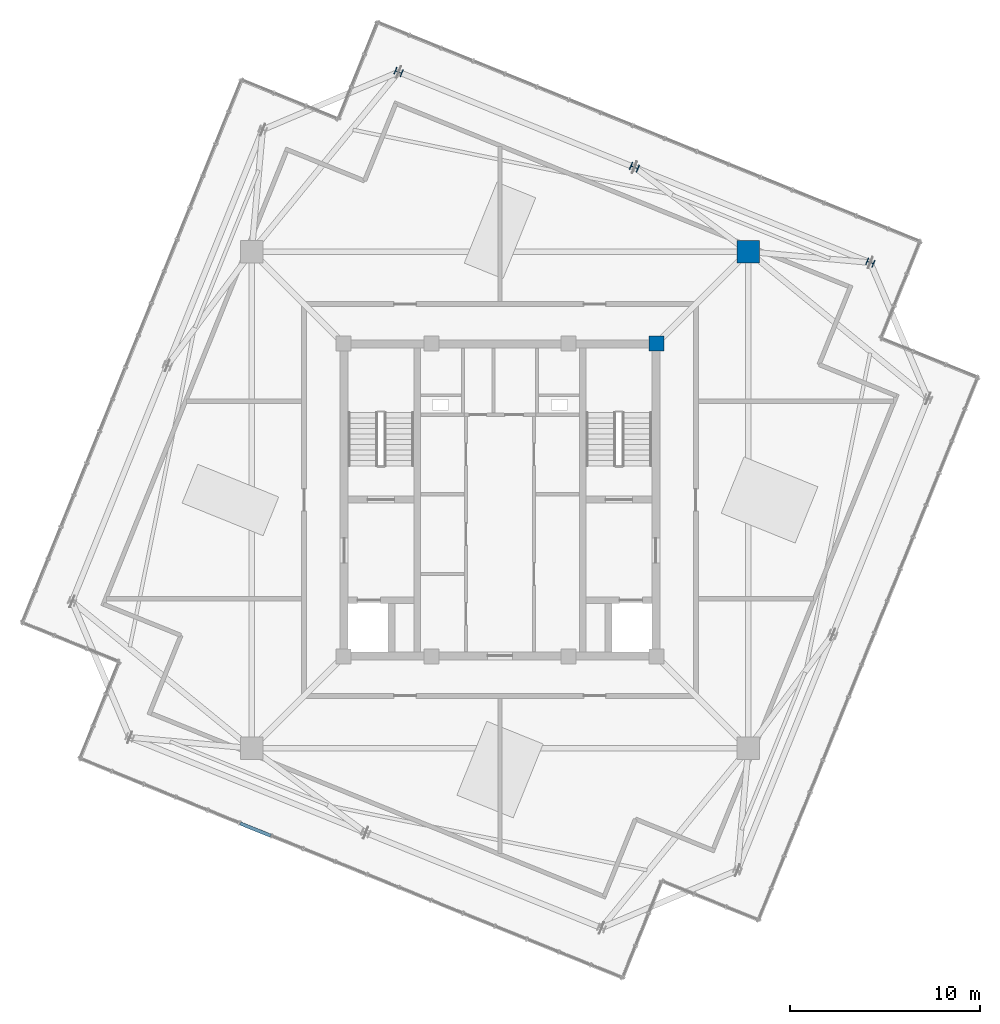
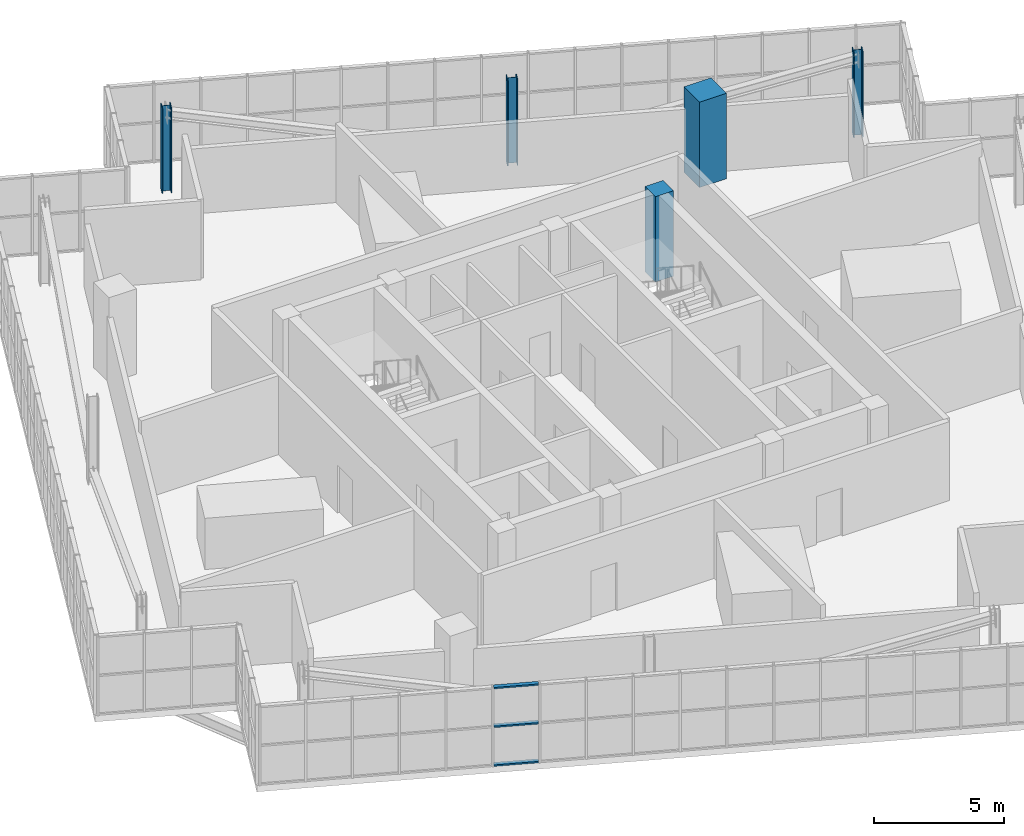
# One storey, part 2 of 26: 5 columns, 3 members, 1 element without a shape of its own.
"""IFC4 building model written with IfcOpenShell, lengths in metres."""

import ifcopenshell
import ifcopenshell.guid

model = None  # the IFC model being written
_history = None  # IfcOwnerHistory: only IFC2X3 demands one
_inside = {}  # id of a spatial element -> (the spatial element, [elements in it])
_under = {}  # id of a project, library or spatial element -> (it, [spatial elements below it])
_declared = {}  # id of a project -> (the project, [libraries it declares])
_typed = {}  # id of a type object -> (the type object, [elements of that type])
_made_of = {}  # id of a material, layer set ... -> (it, [elements and type objects made of it])


def new_model(schema):
    """Start an empty IFC model of exactly this schema.

    Asked for "IFC4X3", IfcOpenShell would pick the latest addendum, in which some entities
    have other attributes; the version numbers below select the first issue.
    IFC2X3 requires an IfcOwnerHistory on every rooted entity: one is made here for all.
    """
    global model, _history
    if schema == "IFC4X3":
        model = ifcopenshell.file(schema_version=(4, 3, 0, 0))
    else:
        model = ifcopenshell.file(schema=schema)
    _inside.clear()
    _under.clear()
    _declared.clear()
    _typed.clear()
    _made_of.clear()
    _history = None
    if model.schema == "IFC2X3":
        org = make("IfcOrganization", Name="unknown")
        user = make(
            "IfcPersonAndOrganization",
            ThePerson=make("IfcPerson", FamilyName="unknown"),
            TheOrganization=org,
        )
        app = make(
            "IfcApplication",
            ApplicationDeveloper=org,
            Version="unknown",
            ApplicationFullName="unknown",
            ApplicationIdentifier="unknown",
        )
        _history = make(
            "IfcOwnerHistory",
            OwningUser=user,
            OwningApplication=app,
            ChangeAction="ADDED",
            CreationDate=0,
        )
    return model


def make(cls, **values):
    """One entity of the class cls with the attributes given. An attribute that is None is left unset."""
    return model.create_entity(
        cls, **{name: value for name, value in values.items() if value is not None}
    )


def rooted(cls, **values):
    """An entity with a GlobalId (a new one), such as an element, a storey or a relation."""
    return make(cls, GlobalId=ifcopenshell.guid.new(), OwnerHistory=_history, **values)


def si_unit(unit_type, name, prefix=None):
    """IfcSIUnit, for example si_unit("LENGTHUNIT", "METRE", prefix="MILLI")."""
    return make("IfcSIUnit", UnitType=unit_type, Prefix=prefix, Name=name)


def assignment(units):
    """IfcUnitAssignment: the units of a project."""
    return None if units is None else make("IfcUnitAssignment", Units=units)


def point(xyz):
    """IfcCartesianPoint."""
    return None if xyz is None else make("IfcCartesianPoint", Coordinates=xyz)


def direction(xyz):
    """IfcDirection."""
    return None if xyz is None else make("IfcDirection", DirectionRatios=xyz)


def frame(location, z_axis=None, x_axis=None):
    """IfcAxis2Placement3D, a coordinate frame: its origin and axes. An axis left out is left unset."""
    return make(
        "IfcAxis2Placement3D",
        Location=point(location),
        Axis=direction(z_axis),
        RefDirection=direction(x_axis),
    )


def frame_2d(location, x_axis=None):
    """IfcAxis2Placement2D, a coordinate frame in the plane: its origin and x axis."""
    return make(
        "IfcAxis2Placement2D", Location=point(location), RefDirection=direction(x_axis)
    )


def origin():
    """The frame at (0, 0, 0) with its axes left unset."""
    return frame((0.0, 0.0, 0.0))


def origin_2d():
    """The frame at (0, 0) in the plane with its x axis left unset."""
    return frame_2d((0.0, 0.0))


def place(relative_to, where):
    """IfcLocalPlacement: puts the frame where relative to a parent placement (None: the world)."""
    return make(
        "IfcLocalPlacement", PlacementRelTo=relative_to, RelativePlacement=where
    )


def context(
    kind, dimensions, precision=None, world=None, true_north=None, identifier=None
):
    """IfcGeometricRepresentationContext, for example the 3D "Model" context."""
    return make(
        "IfcGeometricRepresentationContext",
        ContextIdentifier=identifier,
        ContextType=kind,
        CoordinateSpaceDimension=dimensions,
        Precision=precision,
        WorldCoordinateSystem=world,
        TrueNorth=true_north,
    )


def subcontext(parent, identifier, kind, view, scale=None):
    """IfcGeometricRepresentationSubContext, for example "Body" below "Model"."""
    return make(
        "IfcGeometricRepresentationSubContext",
        ContextIdentifier=identifier,
        ContextType=kind,
        ParentContext=parent,
        TargetScale=scale,
        TargetView=view,
    )


def project(units=None, contexts=None):
    """IfcProject with its units and contexts."""
    return rooted(
        "IfcProject",
        Name="project",
        RepresentationContexts=contexts,
        UnitsInContext=assignment(units),
    )


def spatial(cls, under=None, at=None, **own):
    """A site, building, storey or space (cls), placed at a placement, below another one or the project."""
    s = rooted(cls, ObjectPlacement=at, **own)
    if under is not None:
        _under.setdefault(under.id(), (under, []))[1].append(s)
    return s


def profile(cls, at=None, kind="AREA", **sizes):
    """A parametric profile (cls). Its sizes go by their IFC names, for example OverallWidth=200.0."""
    return make(cls, ProfileType=kind, Position=at, **sizes)


def rectangle(**sizes):
    """IfcRectangleProfileDef."""
    return profile("IfcRectangleProfileDef", **sizes)


def hollow_rectangle(**sizes):
    """IfcRectangleHollowProfileDef."""
    return profile("IfcRectangleHollowProfileDef", **sizes)


def i_section(**sizes):
    """IfcIShapeProfileDef."""
    return profile("IfcIShapeProfileDef", **sizes)


def extrude(swept, where, along, depth):
    """IfcExtrudedAreaSolid: the profile swept, set in the frame where, extruded along a direction by depth."""
    return make(
        "IfcExtrudedAreaSolid",
        SweptArea=swept,
        Position=where,
        ExtrudedDirection=direction(along),
        Depth=depth,
    )


def shape(context_of_items, identifier, shape_type, items):
    """IfcShapeRepresentation: the items that make up one representation, for example the "Body"."""
    return make(
        "IfcShapeRepresentation",
        ContextOfItems=context_of_items,
        RepresentationIdentifier=identifier,
        RepresentationType=shape_type,
        Items=items,
    )


def source(mapping_origin, context_of_items, identifier, shape_type, items):
    """IfcRepresentationMap: a shape defined once, which mapped items show again and again."""
    return make(
        "IfcRepresentationMap",
        MappingOrigin=mapping_origin,
        MappedRepresentation=shape(context_of_items, identifier, shape_type, items),
    )


def transform(
    local_origin,
    x_axis=None,
    y_axis=None,
    z_axis=None,
    scale=None,
    scale2=None,
    scale3=None,
    uniform=True,
):
    """IfcCartesianTransformationOperator3D, or its non-uniform kind. x_axis, y_axis, z_axis: its Axis1, 2, 3."""
    if uniform:
        return make(
            "IfcCartesianTransformationOperator3D",
            Axis1=direction(x_axis),
            Axis2=direction(y_axis),
            LocalOrigin=point(local_origin),
            Scale=scale,
            Axis3=direction(z_axis),
        )
    return make(
        "IfcCartesianTransformationOperator3DnonUniform",
        Axis1=direction(x_axis),
        Axis2=direction(y_axis),
        LocalOrigin=point(local_origin),
        Scale=scale,
        Axis3=direction(z_axis),
        Scale2=scale2,
        Scale3=scale3,
    )


def mapped(mapping_source, mapping_target):
    """IfcMappedItem: shows the shape of a source again, moved by a transform."""
    return make(
        "IfcMappedItem", MappingSource=mapping_source, MappingTarget=mapping_target
    )


def material(Name=None, Category=None):
    """IfcMaterial."""
    return make("IfcMaterial", Name=Name, Category=Category)


def layer(
    of_material, thickness, ventilated=None, Name=None, Category=None, Priority=None
):
    """IfcMaterialLayer: one layer of a wall or slab, of a material (None: an air gap)."""
    return make(
        "IfcMaterialLayer",
        Material=of_material,
        LayerThickness=thickness,
        IsVentilated=ventilated,
        Name=Name,
        Category=Category,
        Priority=Priority,
    )


def layer_set(layers, Name=None):
    """IfcMaterialLayerSet."""
    return make("IfcMaterialLayerSet", MaterialLayers=layers, LayerSetName=Name)


def material_profile(
    of_material, cross_section, Name=None, Category=None, Priority=None
):
    """IfcMaterialProfile: a cross section and its material."""
    return make(
        "IfcMaterialProfile",
        Name=Name,
        Material=of_material,
        Profile=cross_section,
        Priority=Priority,
        Category=Category,
    )


def profile_set(profiles, Name=None, composite=None):
    """IfcMaterialProfileSet."""
    return make(
        "IfcMaterialProfileSet",
        Name=Name,
        MaterialProfiles=profiles,
        CompositeProfile=composite,
    )


def made_of(thing, what):
    """Note that an element or type object is made of a material, layer set ...; save() writes the relation."""
    if what is not None:
        _made_of.setdefault(what.id(), (what, []))[1].append(thing)
    return thing


def type_object(cls, material=None, **own):
    """A type object (cls), such as IfcWallType, which elements share."""
    return made_of(rooted(cls, **own), material)


def element(
    cls,
    number,
    at=None,
    inside=None,
    cuts=None,
    type_object=None,
    material=None,
    context=None,
    identifier="Body",
    shape_type=None,
    held_by="IfcProductDefinitionShape",
    body=None,
    shapes=None,
    **own,
):
    """One element of the class cls, such as IfcWall. Its Tag is "e" and its number.

    at: its placement. inside: the storey or other place that contains it. cuts: it is an
    opening in that element (IfcRelVoidsElement). A single representation is given by context,
    identifier, shape_type and body (its items); several are given by shapes. held_by: the class
    of the entity that holds the representations. save() writes the other relations.
    """
    e = rooted(cls, Tag="e%d" % number, ObjectPlacement=at, **own)
    if body is not None:
        shapes = [shape(context, identifier, shape_type, body)]
    if shapes is not None:
        e.Representation = make(held_by, Representations=shapes)
    if inside is not None:
        _inside.setdefault(inside.id(), (inside, []))[1].append(e)
    if cuts is not None:
        rooted(
            "IfcRelVoidsElement", RelatingBuildingElement=cuts, RelatedOpeningElement=e
        )
    if type_object is not None:
        _typed.setdefault(type_object.id(), (type_object, []))[1].append(e)
    return made_of(e, material)


def aggregate(whole, parts):
    """IfcRelAggregates: a whole, such as a stair, and the parts it consists of."""
    return rooted("IfcRelAggregates", RelatingObject=whole, RelatedObjects=parts)


def save(model, path):
    """Write the relations noted so far, then the file.

    IfcRelAggregates (storeys below a building ...), IfcRelContainedInSpatialStructure (elements
    in a storey), IfcRelDefinesByType, IfcRelAssociatesMaterial and IfcRelDeclares: one each for
    every whole, place, type object, material and project.
    """
    for whole, parts in _under.values():
        aggregate(whole, parts)
    for where, things in _inside.values():
        rooted(
            "IfcRelContainedInSpatialStructure",
            RelatedElements=things,
            RelatingStructure=where,
        )
    for kind, things in _typed.values():
        rooted("IfcRelDefinesByType", RelatedObjects=things, RelatingType=kind)
    for what, things in _made_of.values():
        rooted("IfcRelAssociatesMaterial", RelatedObjects=things, RelatingMaterial=what)
    for by, libraries in _declared.values():
        rooted("IfcRelDeclares", RelatingContext=by, RelatedDefinitions=libraries)
    model.write(path)


model = new_model("IFC4")

# Units and contexts
model_context = context("Model", 3, precision=1e-05, world=origin(), true_north=direction((0.0, 1.0)))
body_context = subcontext(model_context, "Body", "Model", "MODEL_VIEW")
ifc_project = project(units=[si_unit("LENGTHUNIT", "METRE"), si_unit("AREAUNIT", "SQUARE_METRE"), si_unit("VOLUMEUNIT", "CUBIC_METRE"), si_unit("PLANEANGLEUNIT", "RADIAN"), si_unit("MASSUNIT", "GRAM", prefix="KILO"), si_unit("THERMODYNAMICTEMPERATUREUNIT", "KELVIN")], contexts=[model_context])

# Site, building, storey
site_placement = place(None, origin())
site = spatial("IfcSite", under=ifc_project, at=site_placement, CompositionType="ELEMENT")
building_placement = place(site_placement, origin())
building = spatial("IfcBuilding", under=site, at=building_placement, Name="Kosmvard Interchange Tower", CompositionType="ELEMENT")
storey_placement = place(building_placement, frame((0.0, 0.0, 325.60009765625)))
storey = spatial("IfcBuildingStorey", under=building, at=storey_placement, Name="L80", CompositionType="ELEMENT", Elevation=325.60009765625)

# Columns
ifc_material_1 = material(Name="Concrete C50/60", Category="concrete")
ifc_material_profile_1 = material_profile(ifc_material_1, rectangle(XDim=0.800048828125, YDim=0.800048828125, at=origin_2d()), Name="CP 800x800")
ifc_profile_set_1 = profile_set([ifc_material_profile_1], Name="Concrete C50/60")
column_type_1 = type_object("IfcColumnType", Name="Core Boundary Pilaster 800x800 C50/60", PredefinedType="PILASTER", material=ifc_profile_set_1)
shared_shape_1 = source(origin(), body_context, "Body", "SweptSolid", [
    extrude(rectangle(XDim=0.800048828125, YDim=0.800048828125, at=origin_2d()), origin(), (0.0, 0.0, 1.0), 4.0),
])
column_1_placement = place(storey_placement, frame((8.25, 8.25, 0.0), z_axis=(0.0, 0.0, 1.0), x_axis=(1.0, 0.0, 0.0)))
element("IfcColumn", 1, at=column_1_placement, inside=storey, type_object=column_type_1, Name="L80 Core Pilaster CP3", PredefinedType="PILASTER", context=body_context, shape_type="MappedRepresentation", body=[
    mapped(shared_shape_1, transform((0.0, 0.0, 0.0), scale=1.0)),
])
ifc_material_profile_2 = material_profile(ifc_material_1, rectangle(XDim=1.199951171875, YDim=1.199951171875, at=origin_2d()), Name="MC 1200x1200")
ifc_profile_set_2 = profile_set([ifc_material_profile_2], Name="Concrete C50/60")
column_type_2 = type_object("IfcColumnType", Name="Composite Mega-Column 1200x1200 C50/60", PredefinedType="COLUMN", material=ifc_profile_set_2)
shared_shape_2 = source(origin(), body_context, "Body", "SweptSolid", [
    extrude(rectangle(XDim=1.199951171875, YDim=1.199951171875, at=origin_2d()), origin(), (0.0, 0.0, 1.0), 4.0),
])
column_2_placement = place(storey_placement, frame((13.0810546875, 13.0810546875, 0.0), z_axis=(0.0, 0.0, 1.0), x_axis=(1.0, 0.0, 0.0)))
element("IfcColumn", 2, at=column_2_placement, inside=storey, type_object=column_type_2, Name="L80 Corner Mega-Column MC3", PredefinedType="COLUMN", context=body_context, shape_type="MappedRepresentation", body=[
    mapped(shared_shape_2, transform((0.0, 0.0, 0.0), scale=1.0)),
])
ifc_material_2 = material(Name="Steel S355", Category="steel")
ifc_material_profile_3 = material_profile(ifc_material_2, i_section(OverallWidth=0.3759765625, OverallDepth=0.386962890625, WebThickness=0.01953125, FlangeThickness=0.031982421875, FilletRadius=0.014892578125, at=origin_2d()), Name="HD 360x329")
ifc_profile_set_3 = profile_set([ifc_material_profile_3], Name="Steel S355")
column_type_3 = type_object("IfcColumnType", Name="Crown Lantern Corner Post HD 360x329 S355", PredefinedType="COLUMN", material=ifc_profile_set_3)
shared_shape_3 = source(origin(), body_context, "Body", "SweptSolid", [
    extrude(i_section(OverallWidth=0.3759765625, OverallDepth=0.386962890625, WebThickness=0.01953125, FlangeThickness=0.031982421875, FilletRadius=0.014892578125, at=origin_2d()), origin(), (0.0, 0.0, 1.0), 4.0),
])
for number, where, z_axis, x_axis, name in (
    (3, (19.50439453125, 12.504150390625, 0.0), (0.0, 0.0, 1.0), (0.374606593416, 0.927183854567, 0.0), "L80 Crown Frame Leg LL-E1"),
    (4, (-5.34423828125, 22.54345703125, 0.0), (0.0, 0.0, 1.0), (0.374606593416, 0.927183854567, 0.0), "L80 Crown Frame Leg LL-E3"),
):
    element("IfcColumn", number, at=place(storey_placement, frame(where, z_axis=z_axis, x_axis=x_axis)), inside=storey, type_object=column_type_3, Name=name, PredefinedType="COLUMN", context=body_context, shape_type="MappedRepresentation", body=[
        mapped(shared_shape_3, transform((0.0, 0.0, 0.0), scale=1.0)),
    ])
ifc_material_profile_4 = material_profile(ifc_material_2, i_section(OverallWidth=0.408935546875, OverallDepth=0.425048828125, WebThickness=0.02392578125, FlangeThickness=0.0390625, FilletRadius=0.014892578125, at=origin_2d()), Name="HD 400x421")
ifc_profile_set_4 = profile_set([ifc_material_profile_4], Name="Steel S355")
column_type_4 = type_object("IfcColumnType", Name="Crown Lantern Frame Leg HD 400x421 S355", PredefinedType="COLUMN", material=ifc_profile_set_4)
shared_shape_4 = source(origin(), body_context, "Body", "SweptSolid", [
    extrude(i_section(OverallWidth=0.408935546875, OverallDepth=0.425048828125, WebThickness=0.02392578125, FlangeThickness=0.0390625, FilletRadius=0.014892578125, at=origin_2d()), origin(), (0.0, 0.0, 1.0), 4.0),
])
column_3_placement = place(storey_placement, frame((7.080078125, 17.523681640625, 0.0), z_axis=(0.0, 0.0, 1.0), x_axis=(0.374606593416, 0.927183854567, 0.0)))
element("IfcColumn", 5, at=column_3_placement, inside=storey, type_object=column_type_4, Name="L80 Crown Frame Leg LL-E2", PredefinedType="COLUMN", context=body_context, shape_type="MappedRepresentation", body=[
    mapped(shared_shape_4, transform((0.0, 0.0, 0.0), scale=1.0)),
])

# Curtain wall, members
ifc_material_3 = material(Name="Architectural anodised aluminium", Category="aluminium")
ifc_layer = layer(ifc_material_3, 0.25, Name="Architectural anodised aluminium")
ifc_layer_set = layer_set([ifc_layer], Name="Architectural anodised aluminium")
curtain_wall_type = type_object("IfcCurtainWallType", Name="CW-6 Illuminated Crown Lantern Curtain Wall", PredefinedType="NOTDEFINED", material=ifc_layer_set)
curtain_wall_placement = place(storey_placement, origin())
curtain_wall = element("IfcCurtainWall", 6, at=curtain_wall_placement, inside=storey, type_object=curtain_wall_type, Name="L80 Crown Lantern Glazing Face 10", PredefinedType="NOTDEFINED")
ifc_material_profile_5 = material_profile(ifc_material_3, hollow_rectangle(XDim=0.179931640625, YDim=0.070068359375, WallThickness=0.0048828125, at=origin_2d()), Name="CWT 180x70x5")
ifc_profile_set_5 = profile_set([ifc_material_profile_5], Name="Architectural anodised aluminium")
member_type = type_object("IfcMemberType", Name="Heavy Lantern CW Transom 180x70 Aluminium", PredefinedType="USERDEFINED", material=ifc_profile_set_5)
shared_shape_5 = source(origin(), body_context, "Body", "SweptSolid", [
    extrude(hollow_rectangle(XDim=0.179931640625, YDim=0.070068359375, WallThickness=0.0048828125, at=origin_2d()), origin(), (0.0, 0.0, 1.0), 1.734130859375),
])
member_1_placement = place(storey_placement, frame((-13.686767578125, -17.033203125, 0.034912109375), z_axis=(0.927179782522, -0.374616671924, 0.0), x_axis=(0.374616671924, 0.927179782522, 0.0)))
member_1 = element("IfcMember", 7, at=member_1_placement, type_object=member_type, Name="CW-6 transom 6.1", ObjectType="TRANSOM", PredefinedType="USERDEFINED", context=body_context, shape_type="MappedRepresentation", body=[
    mapped(shared_shape_5, transform((0.0, 0.0, 0.0), scale=1.0)),
])
member_2_placement = place(storey_placement, frame((-13.686767578125, -17.033203125, 1.849853515625), z_axis=(0.927179782522, -0.374616671924, 0.0), x_axis=(0.374616671924, 0.927179782522, 0.0)))
member_2 = element("IfcMember", 8, at=member_2_placement, type_object=member_type, Name="CW-6 transom 6.2", ObjectType="TRANSOM", PredefinedType="USERDEFINED", context=body_context, shape_type="MappedRepresentation", body=[
    mapped(shared_shape_5, transform((0.0, 0.0, 0.0), scale=1.0)),
])
member_3_placement = place(storey_placement, frame((-13.686767578125, -17.033203125, 3.664794921875), z_axis=(0.927179782522, -0.374616671924, 0.0), x_axis=(0.374616671924, 0.927179782522, 0.0)))
member_3 = element("IfcMember", 9, at=member_3_placement, type_object=member_type, Name="CW-6 transom 6.3", ObjectType="TRANSOM", PredefinedType="USERDEFINED", context=body_context, shape_type="MappedRepresentation", body=[
    mapped(shared_shape_5, transform((0.0, 0.0, 0.0), scale=1.0)),
])
aggregate(curtain_wall, [member_1, member_2, member_3])

save(model, "model.ifc")
